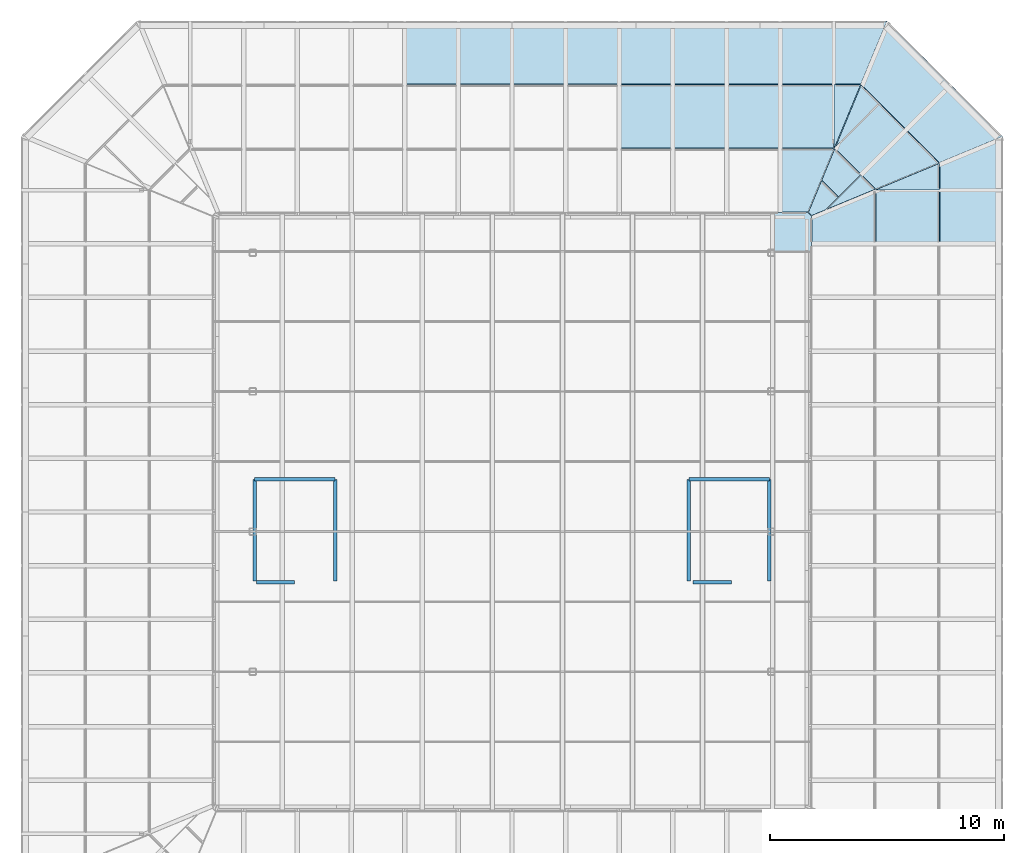
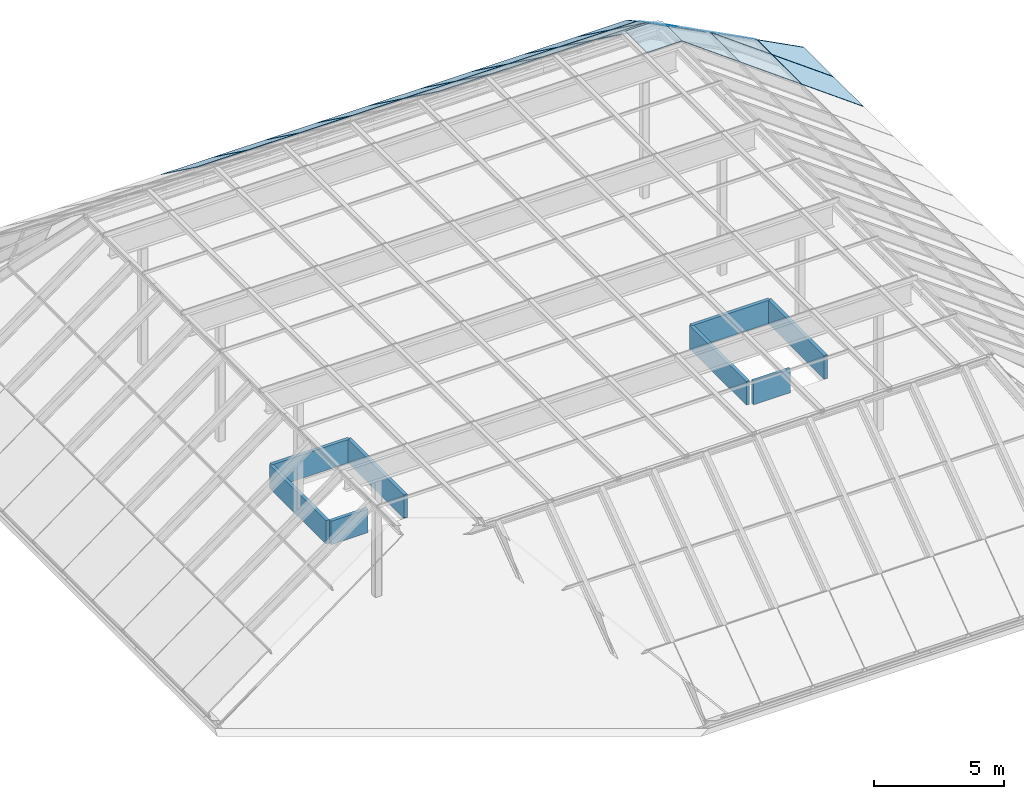
# One storey, part 15 of 15: 29 plates, 8 walls, 4 elements without a shape of their own.
"""IFC4 building model written with IfcOpenShell, lengths in metres."""

import ifcopenshell
import ifcopenshell.guid

model = None  # the IFC model being written
_history = None  # IfcOwnerHistory: only IFC2X3 demands one
_inside = {}  # id of a spatial element -> (the spatial element, [elements in it])
_under = {}  # id of a project, library or spatial element -> (it, [spatial elements below it])
_declared = {}  # id of a project -> (the project, [libraries it declares])
_typed = {}  # id of a type object -> (the type object, [elements of that type])
_made_of = {}  # id of a material, layer set ... -> (it, [elements and type objects made of it])


def new_model(schema):
    """Start an empty IFC model of exactly this schema.

    Asked for "IFC4X3", IfcOpenShell would pick the latest addendum, in which some entities
    have other attributes; the version numbers below select the first issue.
    IFC2X3 requires an IfcOwnerHistory on every rooted entity: one is made here for all.
    """
    global model, _history
    if schema == "IFC4X3":
        model = ifcopenshell.file(schema_version=(4, 3, 0, 0))
    else:
        model = ifcopenshell.file(schema=schema)
    _inside.clear()
    _under.clear()
    _declared.clear()
    _typed.clear()
    _made_of.clear()
    _history = None
    if model.schema == "IFC2X3":
        org = make("IfcOrganization", Name="unknown")
        user = make(
            "IfcPersonAndOrganization",
            ThePerson=make("IfcPerson", FamilyName="unknown"),
            TheOrganization=org,
        )
        app = make(
            "IfcApplication",
            ApplicationDeveloper=org,
            Version="unknown",
            ApplicationFullName="unknown",
            ApplicationIdentifier="unknown",
        )
        _history = make(
            "IfcOwnerHistory",
            OwningUser=user,
            OwningApplication=app,
            ChangeAction="ADDED",
            CreationDate=0,
        )
    return model


def make(cls, **values):
    """One entity of the class cls with the attributes given. An attribute that is None is left unset."""
    return model.create_entity(
        cls, **{name: value for name, value in values.items() if value is not None}
    )


def rooted(cls, **values):
    """An entity with a GlobalId (a new one), such as an element, a storey or a relation."""
    return make(cls, GlobalId=ifcopenshell.guid.new(), OwnerHistory=_history, **values)


def si_unit(unit_type, name, prefix=None):
    """IfcSIUnit, for example si_unit("LENGTHUNIT", "METRE", prefix="MILLI")."""
    return make("IfcSIUnit", UnitType=unit_type, Prefix=prefix, Name=name)


def assignment(units):
    """IfcUnitAssignment: the units of a project."""
    return None if units is None else make("IfcUnitAssignment", Units=units)


def point(xyz):
    """IfcCartesianPoint."""
    return None if xyz is None else make("IfcCartesianPoint", Coordinates=xyz)


def direction(xyz):
    """IfcDirection."""
    return None if xyz is None else make("IfcDirection", DirectionRatios=xyz)


def frame(location, z_axis=None, x_axis=None):
    """IfcAxis2Placement3D, a coordinate frame: its origin and axes. An axis left out is left unset."""
    return make(
        "IfcAxis2Placement3D",
        Location=point(location),
        Axis=direction(z_axis),
        RefDirection=direction(x_axis),
    )


def frame_2d(location, x_axis=None):
    """IfcAxis2Placement2D, a coordinate frame in the plane: its origin and x axis."""
    return make(
        "IfcAxis2Placement2D", Location=point(location), RefDirection=direction(x_axis)
    )


def origin():
    """The frame at (0, 0, 0) with its axes left unset."""
    return frame((0.0, 0.0, 0.0))


def place(relative_to, where):
    """IfcLocalPlacement: puts the frame where relative to a parent placement (None: the world)."""
    return make(
        "IfcLocalPlacement", PlacementRelTo=relative_to, RelativePlacement=where
    )


def context(
    kind, dimensions, precision=None, world=None, true_north=None, identifier=None
):
    """IfcGeometricRepresentationContext, for example the 3D "Model" context."""
    return make(
        "IfcGeometricRepresentationContext",
        ContextIdentifier=identifier,
        ContextType=kind,
        CoordinateSpaceDimension=dimensions,
        Precision=precision,
        WorldCoordinateSystem=world,
        TrueNorth=true_north,
    )


def subcontext(parent, identifier, kind, view, scale=None):
    """IfcGeometricRepresentationSubContext, for example "Body" below "Model"."""
    return make(
        "IfcGeometricRepresentationSubContext",
        ContextIdentifier=identifier,
        ContextType=kind,
        ParentContext=parent,
        TargetScale=scale,
        TargetView=view,
    )


def project(units=None, contexts=None):
    """IfcProject with its units and contexts."""
    return rooted(
        "IfcProject",
        Name="project",
        RepresentationContexts=contexts,
        UnitsInContext=assignment(units),
    )


def spatial(cls, under=None, at=None, **own):
    """A site, building, storey or space (cls), placed at a placement, below another one or the project."""
    s = rooted(cls, ObjectPlacement=at, **own)
    if under is not None:
        _under.setdefault(under.id(), (under, []))[1].append(s)
    return s


def polyline(points):
    """IfcPolyline through the points."""
    return make("IfcPolyline", Points=[point(p) for p in points])


def profile(cls, at=None, kind="AREA", **sizes):
    """A parametric profile (cls). Its sizes go by their IFC names, for example OverallWidth=200.0."""
    return make(cls, ProfileType=kind, Position=at, **sizes)


def rectangle(**sizes):
    """IfcRectangleProfileDef."""
    return profile("IfcRectangleProfileDef", **sizes)


def outline(outer, holes=None, kind="AREA"):
    """IfcArbitraryClosedProfileDef: a profile drawn as a closed curve; with holes, ...WithVoids."""
    if holes is None:
        return make("IfcArbitraryClosedProfileDef", ProfileType=kind, OuterCurve=outer)
    return make(
        "IfcArbitraryProfileDefWithVoids",
        ProfileType=kind,
        OuterCurve=outer,
        InnerCurves=holes,
    )


def extrude(swept, where, along, depth):
    """IfcExtrudedAreaSolid: the profile swept, set in the frame where, extruded along a direction by depth."""
    return make(
        "IfcExtrudedAreaSolid",
        SweptArea=swept,
        Position=where,
        ExtrudedDirection=direction(along),
        Depth=depth,
    )


def shape(context_of_items, identifier, shape_type, items):
    """IfcShapeRepresentation: the items that make up one representation, for example the "Body"."""
    return make(
        "IfcShapeRepresentation",
        ContextOfItems=context_of_items,
        RepresentationIdentifier=identifier,
        RepresentationType=shape_type,
        Items=items,
    )


def material(Name=None, Category=None):
    """IfcMaterial."""
    return make("IfcMaterial", Name=Name, Category=Category)


def layer(
    of_material, thickness, ventilated=None, Name=None, Category=None, Priority=None
):
    """IfcMaterialLayer: one layer of a wall or slab, of a material (None: an air gap)."""
    return make(
        "IfcMaterialLayer",
        Material=of_material,
        LayerThickness=thickness,
        IsVentilated=ventilated,
        Name=Name,
        Category=Category,
        Priority=Priority,
    )


def layer_set(layers, Name=None):
    """IfcMaterialLayerSet."""
    return make("IfcMaterialLayerSet", MaterialLayers=layers, LayerSetName=Name)


def constituent(of_material, Name=None, Category=None, fraction=None):
    """IfcMaterialConstituent: one of the materials an element consists of."""
    return make(
        "IfcMaterialConstituent",
        Name=Name,
        Material=of_material,
        Fraction=fraction,
        Category=Category,
    )


def constituent_set(constituents=None, Name=None):
    """IfcMaterialConstituentSet."""
    return make(
        "IfcMaterialConstituentSet", Name=Name, MaterialConstituents=constituents
    )


def made_of(thing, what):
    """Note that an element or type object is made of a material, layer set ...; save() writes the relation."""
    if what is not None:
        _made_of.setdefault(what.id(), (what, []))[1].append(thing)
    return thing


def type_object(cls, material=None, **own):
    """A type object (cls), such as IfcWallType, which elements share."""
    return made_of(rooted(cls, **own), material)


def element(
    cls,
    number,
    at=None,
    inside=None,
    cuts=None,
    type_object=None,
    material=None,
    context=None,
    identifier="Body",
    shape_type=None,
    held_by="IfcProductDefinitionShape",
    body=None,
    shapes=None,
    **own,
):
    """One element of the class cls, such as IfcWall. Its Tag is "e" and its number.

    at: its placement. inside: the storey or other place that contains it. cuts: it is an
    opening in that element (IfcRelVoidsElement). A single representation is given by context,
    identifier, shape_type and body (its items); several are given by shapes. held_by: the class
    of the entity that holds the representations. save() writes the other relations.
    """
    e = rooted(cls, Tag="e%d" % number, ObjectPlacement=at, **own)
    if body is not None:
        shapes = [shape(context, identifier, shape_type, body)]
    if shapes is not None:
        e.Representation = make(held_by, Representations=shapes)
    if inside is not None:
        _inside.setdefault(inside.id(), (inside, []))[1].append(e)
    if cuts is not None:
        rooted(
            "IfcRelVoidsElement", RelatingBuildingElement=cuts, RelatedOpeningElement=e
        )
    if type_object is not None:
        _typed.setdefault(type_object.id(), (type_object, []))[1].append(e)
    return made_of(e, material)


def aggregate(whole, parts):
    """IfcRelAggregates: a whole, such as a stair, and the parts it consists of."""
    return rooted("IfcRelAggregates", RelatingObject=whole, RelatedObjects=parts)


def save(model, path):
    """Write the relations noted so far, then the file.

    IfcRelAggregates (storeys below a building ...), IfcRelContainedInSpatialStructure (elements
    in a storey), IfcRelDefinesByType, IfcRelAssociatesMaterial and IfcRelDeclares: one each for
    every whole, place, type object, material and project.
    """
    for whole, parts in _under.values():
        aggregate(whole, parts)
    for where, things in _inside.values():
        rooted(
            "IfcRelContainedInSpatialStructure",
            RelatedElements=things,
            RelatingStructure=where,
        )
    for kind, things in _typed.values():
        rooted("IfcRelDefinesByType", RelatedObjects=things, RelatingType=kind)
    for what, things in _made_of.values():
        rooted("IfcRelAssociatesMaterial", RelatedObjects=things, RelatingMaterial=what)
    for by, libraries in _declared.values():
        rooted("IfcRelDeclares", RelatingContext=by, RelatedDefinitions=libraries)
    model.write(path)


model = new_model("IFC4")

# Units and contexts
model_context = context("Model", 3, precision=1e-05, world=origin(), true_north=direction((0.0, 1.0)))
body_context = subcontext(model_context, "Body", "Model", "MODEL_VIEW")
ifc_project = project(units=[si_unit("LENGTHUNIT", "METRE"), si_unit("AREAUNIT", "SQUARE_METRE"), si_unit("VOLUMEUNIT", "CUBIC_METRE"), si_unit("PLANEANGLEUNIT", "RADIAN"), si_unit("MASSUNIT", "GRAM", prefix="KILO")], contexts=[model_context])

# Site, building, storey
site_placement = place(None, origin())
site = spatial("IfcSite", under=ifc_project, at=site_placement, CompositionType="ELEMENT")
building_placement = place(site_placement, origin())
building = spatial("IfcBuilding", under=site, at=building_placement, Name="Quoin Convention Tower", CompositionType="ELEMENT")
storey_placement = place(building_placement, frame((0.0, 0.0, 273.699951171875)))
storey = spatial("IfcBuildingStorey", under=building, at=storey_placement, Name="Roof", CompositionType="ELEMENT", Elevation=273.699951171875)

# Curtain wall, plates
ifc_material_1 = material(Name="Aluminium", Category="aluminium")
ifc_constituent_1 = constituent(ifc_material_1, Name="Frame")
ifc_material_2 = material(Name="Insulated glass", Category="glass")
ifc_constituent_2 = constituent(ifc_material_2, Name="Glazing")
ifc_constituent_set = constituent_set(constituents=[ifc_constituent_1, ifc_constituent_2], Name="Aluminium")
curtain_wall_type = type_object("IfcCurtainWallType", Name="Lantern roof system", PredefinedType="NOTDEFINED", material=ifc_constituent_set)
curtain_wall_1_placement = place(storey_placement, origin())
curtain_wall_1 = element("IfcCurtainWall", 1, at=curtain_wall_1_placement, inside=storey, type_object=curtain_wall_type, Name="crn-LNR-F77290_44673", PredefinedType="NOTDEFINED")
ifc_layer_1 = layer(ifc_material_2, 0.028076171875)
ifc_layer_set_1 = layer_set([ifc_layer_1], Name="Insulated glass")
plate_type = type_object("IfcPlateType", Name="Lantern roof glazing unit 28", PredefinedType="CURTAIN_PANEL", material=ifc_layer_set_1)
plate_1_placement = place(storey_placement, frame((74.56884765625, 72.248779296875, 2.466552734375), z_axis=(0.590508839017, 0.0, 0.807031171048), x_axis=(0.0, 1.0, 0.0)))
plate_1 = element("IfcPlate", 2, at=plate_1_placement, type_object=plate_type, Name="CW6 glazing unit", PredefinedType="CURTAIN_PANEL", context=body_context, shape_type="SweptSolid", body=[
    extrude(outline(polyline([(0.0, 0.0), (2.2666015625, 0.0), (2.2666015625, -3.3567283051575902), (0.0, -3.3567283051575902), (0.0, 0.0)])), origin(), (0.0, 0.0, -1.0), 0.028076171875),
])
plate_2_placement = place(storey_placement, frame((74.56884765625, 74.54541015625, 2.466552734375), z_axis=(0.590508839017, 0.0, 0.807031171048), x_axis=(0.0, 1.0, 0.0)))
plate_2 = element("IfcPlate", 3, at=plate_2_placement, type_object=plate_type, Name="CW6 glazing unit", PredefinedType="CURTAIN_PANEL", context=body_context, shape_type="SweptSolid", body=[
    extrude(outline(polyline([(0.0, 0.0), (1.138671875, 0.0), (2.260986328125, -3.3567283051575907), (0.0, -3.3567283051575907), (0.0, 0.0)])), origin(), (0.0, 0.0, -1.0), 0.028076171875),
])
plate_3_placement = place(storey_placement, frame((74.544677734375, 72.248779296875, 2.484375), z_axis=(0.590474179548, 0.0, 0.807056530416), x_axis=(-0.807056530416, 0.0, 0.590474179548)))
plate_3 = element("IfcPlate", 4, at=plate_3_placement, type_object=plate_type, Name="CW6 glazing unit", PredefinedType="CURTAIN_PANEL", context=body_context, shape_type="SweptSolid", body=[
    extrude(outline(polyline([(0.0, 0.0), (3.356925337347801, 0.0), (3.356925337347801, -2.2666015625), (0.0, -2.2666015625), (0.0, 0.0)])), origin(), (0.0, 0.0, -1.0), 0.028076171875),
])
plate_4_placement = place(storey_placement, frame((74.544677734375, 74.54541015625, 2.484375), z_axis=(0.590474179548, 0.0, 0.807056530416), x_axis=(-0.807056530416, 0.0, 0.590474179548)))
plate_4 = element("IfcPlate", 5, at=plate_4_placement, type_object=plate_type, Name="CW6 glazing unit", PredefinedType="CURTAIN_PANEL", context=body_context, shape_type="SweptSolid", body=[
    extrude(outline(polyline([(0.0, 0.0), (3.356925337347801, 0.0), (3.356925337347801, -0.006591796875), (0.0, -1.12890625), (0.0, 0.0)])), origin(), (0.0, 0.0, -1.0), 0.028076171875),
])
plate_5_placement = place(storey_placement, frame((71.811279296875, 74.515380859375, 4.484375), z_axis=(0.590467870456, 2.3954968e-05, 0.807061146002), x_axis=(1.4144639e-05, -0.999999999713, 1.9333124e-05)))
plate_5 = element("IfcPlate", 6, at=plate_5_placement, type_object=plate_type, Name="CW6 glazing unit", PredefinedType="CURTAIN_PANEL", context=body_context, shape_type="SweptSolid", body=[
    extrude(outline(polyline([(0.0, 0.0), (2.266601561849666, 0.0), (2.2666015624782845, -3.356925337245233), (1.0954589846893092, -3.356925337245233), (-1.972716709108947e-09, -0.07949875796371716), (0.0, 0.0)])), origin(), (0.0, 0.0, -1.0), 0.028076171875),
])
aggregate(curtain_wall_1, [plate_1, plate_2, plate_3, plate_4, plate_5])

curtain_wall_2_placement = place(storey_placement, origin())
curtain_wall_2 = element("IfcCurtainWall", 7, at=curtain_wall_2_placement, inside=storey, type_object=curtain_wall_type, Name="crn-LNR-F77290_76827", PredefinedType="NOTDEFINED")
plate_6_placement = place(storey_placement, frame((73.14892578125, 77.119873046875, 2.466552734375), z_axis=(0.417537444623, 0.417537444623, 0.807047064721), x_axis=(0.570704815969, 0.570632086924, -0.590487116204)))
plate_6 = element("IfcPlate", 8, at=plate_6_placement, type_object=plate_type, Name="CW6 glazing unit", PredefinedType="CURTAIN_PANEL", context=body_context, shape_type="SweptSolid", body=[
    extrude(outline(polyline([(0.0, 0.0), (3.356851792327199, -5.2753211954997825e-17), (3.357011934723851, -3.1139629155703807), (0.00010245278065001973, -1.9921904892827473), (0.0, 0.0)])), origin(), (0.0, 0.0, -1.0), 0.028076171875),
])
plate_7_placement = place(storey_placement, frame((73.127685546875, 77.14111328125, 2.466552734375), z_axis=(0.417537444623, 0.417537444623, 0.807047064721), x_axis=(-0.707106781187, 0.707106781187, 0.0)))
plate_7 = element("IfcPlate", 9, at=plate_7_placement, type_object=plate_type, Name="CW6 glazing unit", PredefinedType="CURTAIN_PANEL", context=body_context, shape_type="SweptSolid", body=[
    extrude(outline(polyline([(0.0, 0.0), (2.710345816559765, 0.0), (3.832290877822307, -3.356851787888171), (-0.0001726334915006511, -3.356851787888171), (0.0, 0.0)])), origin(), (0.0, 0.0, -1.0), 0.028076171875),
])
plate_8_placement = place(storey_placement, frame((71.21630859375, 75.18701171875, 4.466552734375), z_axis=(0.417537444623, 0.417537444623, 0.807047064721), x_axis=(0.570632086924, 0.570704815969, -0.590487116204)))
plate_8 = element("IfcPlate", 10, at=plate_8_placement, type_object=plate_type, Name="CW6 glazing unit", PredefinedType="CURTAIN_PANEL", context=body_context, shape_type="SweptSolid", body=[
    extrude(outline(polyline([(0.0, 0.0), (3.356851792327199, -1.6929139297003348e-16), (3.356749854473869, -1.9821777467889525), (-4.42127250985247e-05, -0.8597147865362291), (0.0, 0.0)])), origin(), (0.0, 0.0, -1.0), 0.028076171875),
])
plate_9_placement = place(storey_placement, frame((71.997802734375, 78.23681640625, 2.484375), z_axis=(0.417569006893, 0.417523210774, 0.80703809882), x_axis=(0.707042741667, -0.707170814424, 2.6136976e-05)))
plate_9 = element("IfcPlate", 11, at=plate_9_placement, type_object=plate_type, Name="CW6 glazing unit", PredefinedType="CURTAIN_PANEL", context=body_context, shape_type="SweptSolid", body=[
    extrude(outline(polyline([(0.0, 0.0), (1.5738995506534303, -1.1102230246251565e-16), (1.5741966856522538, -3.3567124525452634), (0.00012451714197131268, -3.356851789630812), (0.0, 0.0)])), origin(), (0.0, 0.0, -1.0), 0.028076171875),
])
plate_10_placement = place(storey_placement, frame((71.201171875, 79.033447265625, 2.484375), z_axis=(0.417563792954, 0.417563792954, 0.807019800022), x_axis=(0.707106781187, -0.707106781187, 0.0)))
plate_10 = element("IfcPlate", 12, at=plate_10_placement, type_object=plate_type, Name="CW6 glazing unit", PredefinedType="CURTAIN_PANEL", context=body_context, shape_type="SweptSolid", body=[
    extrude(outline(polyline([(0.0, 0.0), (1.0965679380119506, 0.0), (1.0965679380119506, -3.279741948853893), (0.0, 0.0)])), origin(), (0.0, 0.0, -1.0), 0.028076171875),
])
plate_11_placement = place(storey_placement, frame((71.19921875, 75.169921875, 4.484375), z_axis=(0.417542917757, 0.417542917757, 0.807041401455), x_axis=(0.707106781187, -0.707106781187, 0.0)))
plate_11 = element("IfcPlate", 13, at=plate_11_placement, type_object=plate_type, Name="CW6 glazing unit", PredefinedType="CURTAIN_PANEL", context=body_context, shape_type="SweptSolid", body=[
    extrude(outline(polyline([(0.0, 0.0), (0.8497020451660613, 0.0), (-0.0001726334915006511, -2.542309530573094), (0.0, 0.0)])), origin(), (0.0, 0.0, -1.0), 0.028076171875),
])
plate_12_placement = place(storey_placement, frame((70.069091796875, 76.300048828125, 4.484375), z_axis=(0.417486512565, 0.417542378551, 0.807070860544), x_axis=(0.707123273799, -0.707090287471, 3.1881896e-05)))
plate_12 = element("IfcPlate", 14, at=plate_12_placement, type_object=plate_type, Name="CW6 glazing unit", PredefinedType="CURTAIN_PANEL", context=body_context, shape_type="SweptSolid", body=[
    extrude(outline(polyline([(0.0, 0.0), (1.5682026355680565, 0.0), (1.5682026380152434, -1.6633416873172657), (0.5560524741101777, -1.6634810147779184), (0.0, 0.0)])), origin(), (0.0, 0.0, -1.0), 0.028076171875),
])
plate_13_placement = place(storey_placement, frame((69.5029296875, 74.933349609375, 5.484375), z_axis=(0.417448451267, 0.417578956169, 0.807071623773), x_axis=(0.707224642574, -0.706988900109, -7.613711e-06)))
plate_13 = element("IfcPlate", 15, at=plate_13_placement, type_object=plate_type, Name="CW6 glazing unit", PredefinedType="CURTAIN_PANEL", context=body_context, shape_type="SweptSolid", body=[
    extrude(outline(polyline([(0.0, 0.0), (1.0021374329858963, 5.551115123125783e-17), (1.0020069393110802, -0.9385983617875202), (0.7593561028419844, -1.663447276913725), (0.5559938526855857, -1.6634190033734484), (0.0, 0.0)])), origin(), (0.0, 0.0, -1.0), 0.028076171875),
])
aggregate(curtain_wall_2, [plate_6, plate_7, plate_8, plate_9, plate_10, plate_11, plate_12, plate_13])

curtain_wall_3_placement = place(storey_placement, origin())
curtain_wall_3 = element("IfcCurtainWall", 16, at=curtain_wall_3_placement, inside=storey, type_object=curtain_wall_type, Name="crn-LNR-F72327_81790", PredefinedType="NOTDEFINED")
plate_14_placement = place(storey_placement, frame((70.04541015625, 79.06884765625, 2.466552734375), z_axis=(0.0, 0.590508839017, 0.807031171048), x_axis=(0.0, 0.807031171048, -0.590508839017)))
plate_14 = element("IfcPlate", 17, at=plate_14_placement, type_object=plate_type, Name="CW6 glazing unit", PredefinedType="CURTAIN_PANEL", context=body_context, shape_type="SweptSolid", body=[
    extrude(outline(polyline([(0.0, 0.0), (3.3567283051575907, 0.0), (3.3567283051575907, -2.260986328125), (0.0, -1.138671875), (0.0, 0.0)])), origin(), (0.0, 0.0, -1.0), 0.028076171875),
])
plate_15_placement = place(storey_placement, frame((70.015380859375, 79.06884765625, 2.466552734375), z_axis=(0.0, 0.590508839017, 0.807031171048), x_axis=(-1.0, 0.0, 0.0)))
plate_15 = element("IfcPlate", 18, at=plate_15_placement, type_object=plate_type, Name="CW6 glazing unit", PredefinedType="CURTAIN_PANEL", context=body_context, shape_type="SweptSolid", body=[
    extrude(outline(polyline([(0.0, 0.0), (2.2666015625, 0.0), (2.2666015625, -3.3567283051575902), (0.0, -3.3567283051575902), (0.0, 0.0)])), origin(), (0.0, 0.0, -1.0), 0.028076171875),
])
plate_16_placement = place(storey_placement, frame((67.71875, 79.06884765625, 2.466552734375), z_axis=(0.0, 0.590508839017, 0.807031171048), x_axis=(-1.0, 0.0, 0.0)))
plate_16 = element("IfcPlate", 19, at=plate_16_placement, type_object=plate_type, Name="CW6 glazing unit", PredefinedType="CURTAIN_PANEL", context=body_context, shape_type="SweptSolid", body=[
    extrude(outline(polyline([(0.0, 0.0), (2.266845703125, 0.0), (2.266845703125, -3.3567283051575907), (0.0, -3.3567283051575907), (0.0, 0.0)])), origin(), (0.0, 0.0, -1.0), 0.028076171875),
])
plate_17_placement = place(storey_placement, frame((65.422119140625, 79.06884765625, 2.466552734375), z_axis=(0.0, 0.590508839017, 0.807031171048), x_axis=(-1.0, 0.0, 0.0)))
plate_17 = element("IfcPlate", 20, at=plate_17_placement, type_object=plate_type, Name="CW6 glazing unit", PredefinedType="CURTAIN_PANEL", context=body_context, shape_type="SweptSolid", body=[
    extrude(outline(polyline([(0.0, 0.0), (2.266845703125, 0.0), (2.266845703125, -3.3567283051575907), (0.0, -3.3567283051575907), (0.0, 0.0)])), origin(), (0.0, 0.0, -1.0), 0.028076171875),
])
plate_18_placement = place(storey_placement, frame((63.125244140625, 79.06884765625, 2.466552734375), z_axis=(0.0, 0.590508839017, 0.807031171048), x_axis=(-1.0, 0.0, 0.0)))
plate_18 = element("IfcPlate", 21, at=plate_18_placement, type_object=plate_type, Name="CW6 glazing unit", PredefinedType="CURTAIN_PANEL", context=body_context, shape_type="SweptSolid", body=[
    extrude(outline(polyline([(0.0, 0.0), (2.266845703125, 0.0), (2.266845703125, -3.3567283051575907), (0.0, -3.3567283051575907), (0.0, 0.0)])), origin(), (0.0, 0.0, -1.0), 0.028076171875),
])
plate_19_placement = place(storey_placement, frame((60.82861328125, 79.06884765625, 2.466552734375), z_axis=(0.0, 0.590508839017, 0.807031171048), x_axis=(-1.0, 0.0, 0.0)))
plate_19 = element("IfcPlate", 22, at=plate_19_placement, type_object=plate_type, Name="CW6 glazing unit", PredefinedType="CURTAIN_PANEL", context=body_context, shape_type="SweptSolid", body=[
    extrude(outline(polyline([(0.0, 0.0), (2.266845703125, 0.0), (2.266845703125, -3.3567283051575907), (0.0, -3.3567283051575907), (0.0, 0.0)])), origin(), (0.0, 0.0, -1.0), 0.028076171875),
])
plate_20_placement = place(storey_placement, frame((58.53173828125, 79.06884765625, 2.466552734375), z_axis=(0.0, 0.590508839017, 0.807031171048), x_axis=(-1.0, 0.0, 0.0)))
plate_20 = element("IfcPlate", 23, at=plate_20_placement, type_object=plate_type, Name="CW6 glazing unit", PredefinedType="CURTAIN_PANEL", context=body_context, shape_type="SweptSolid", body=[
    extrude(outline(polyline([(0.0, 0.0), (2.266845703125, 0.0), (2.266845703125, -3.3567283051575907), (0.0, -3.3567283051575907), (0.0, 0.0)])), origin(), (0.0, 0.0, -1.0), 0.028076171875),
])
plate_21_placement = place(storey_placement, frame((56.235107421875, 79.06884765625, 2.466552734375), z_axis=(0.0, 0.590508839017, 0.807031171048), x_axis=(-1.0, 0.0, 0.0)))
plate_21 = element("IfcPlate", 24, at=plate_21_placement, type_object=plate_type, Name="CW6 glazing unit", PredefinedType="CURTAIN_PANEL", context=body_context, shape_type="SweptSolid", body=[
    extrude(outline(polyline([(0.0, 0.0), (2.266845703125, 0.0), (2.266845703125, -3.3567283051575907), (0.0, -3.3567283051575907), (0.0, 0.0)])), origin(), (0.0, 0.0, -1.0), 0.028076171875),
])
plate_22_placement = place(storey_placement, frame((53.938232421875, 79.06884765625, 2.466552734375), z_axis=(0.0, 0.590508839017, 0.807031171048), x_axis=(-1.0, 0.0, 0.0)))
plate_22 = element("IfcPlate", 25, at=plate_22_placement, type_object=plate_type, Name="CW6 glazing unit", PredefinedType="CURTAIN_PANEL", context=body_context, shape_type="SweptSolid", body=[
    extrude(outline(polyline([(0.0, 0.0), (2.266845703125, 0.0), (2.266845703125, -3.3567283051575907), (0.0, -3.3567283051575907), (0.0, 0.0)])), origin(), (0.0, 0.0, -1.0), 0.028076171875),
])
plate_23_placement = place(storey_placement, frame((70.04541015625, 76.33544921875, 4.466552734375), z_axis=(0.0, 0.590474179548, 0.807056530416), x_axis=(0.0, 0.807056530416, -0.590474179548)))
plate_23 = element("IfcPlate", 26, at=plate_23_placement, type_object=plate_type, Name="CW6 glazing unit", PredefinedType="CURTAIN_PANEL", context=body_context, shape_type="SweptSolid", body=[
    extrude(outline(polyline([(0.0, 0.0), (3.356925337347801, 0.0), (3.356925337347801, -1.12890625), (0.0, -0.006591796875), (0.0, 0.0)])), origin(), (0.0, 0.0, -1.0), 0.028076171875),
])
plate_24_placement = place(storey_placement, frame((70.015380859375, 79.044677734375, 2.484375), z_axis=(0.0, 0.590474179548, 0.807056530416), x_axis=(0.0, -0.807056530416, 0.590474179548)))
plate_24 = element("IfcPlate", 27, at=plate_24_placement, type_object=plate_type, Name="CW6 glazing unit", PredefinedType="CURTAIN_PANEL", context=body_context, shape_type="SweptSolid", body=[
    extrude(outline(polyline([(0.0, 0.0), (3.356925337347801, 0.0), (3.356925337347801, -2.2666015625), (0.0, -2.2666015625), (0.0, 0.0)])), origin(), (0.0, 0.0, -1.0), 0.028076171875),
])
plate_25_placement = place(storey_placement, frame((67.71875, 79.044677734375, 2.484375), z_axis=(0.0, 0.590474179548, 0.807056530416), x_axis=(0.0, -0.807056530416, 0.590474179548)))
plate_25 = element("IfcPlate", 28, at=plate_25_placement, type_object=plate_type, Name="CW6 glazing unit", PredefinedType="CURTAIN_PANEL", context=body_context, shape_type="SweptSolid", body=[
    extrude(outline(polyline([(0.0, 0.0), (3.356925337347801, 0.0), (3.356925337347801, -2.266845703125), (0.0, -2.266845703125), (0.0, 0.0)])), origin(), (0.0, 0.0, -1.0), 0.028076171875),
])
plate_26_placement = place(storey_placement, frame((65.422119140625, 79.044677734375, 2.484375), z_axis=(0.0, 0.590474179548, 0.807056530416), x_axis=(0.0, -0.807056530416, 0.590474179548)))
plate_26 = element("IfcPlate", 29, at=plate_26_placement, type_object=plate_type, Name="CW6 glazing unit", PredefinedType="CURTAIN_PANEL", context=body_context, shape_type="SweptSolid", body=[
    extrude(outline(polyline([(0.0, 0.0), (3.356925337347801, 0.0), (3.356925337347801, -2.266845703125), (0.0, -2.266845703125), (0.0, 0.0)])), origin(), (0.0, 0.0, -1.0), 0.028076171875),
])
plate_27_placement = place(storey_placement, frame((63.125244140625, 79.044677734375, 2.484375), z_axis=(0.0, 0.590474179548, 0.807056530416), x_axis=(0.0, -0.807056530416, 0.590474179548)))
plate_27 = element("IfcPlate", 30, at=plate_27_placement, type_object=plate_type, Name="CW6 glazing unit", PredefinedType="CURTAIN_PANEL", context=body_context, shape_type="SweptSolid", body=[
    extrude(outline(polyline([(0.0, 0.0), (3.356925337347801, 0.0), (3.356925337347801, -2.266845703125), (0.0, -2.266845703125), (0.0, 0.0)])), origin(), (0.0, 0.0, -1.0), 0.028076171875),
])
plate_28_placement = place(storey_placement, frame((67.748779296875, 76.311279296875, 4.484375), z_axis=(2.3954968e-05, 0.590467870456, 0.807061146002), x_axis=(0.999999999713, -1.4144639e-05, -1.9333124e-05)))
plate_28 = element("IfcPlate", 31, at=plate_28_placement, type_object=plate_type, Name="CW6 glazing unit", PredefinedType="CURTAIN_PANEL", context=body_context, shape_type="SweptSolid", body=[
    extrude(outline(polyline([(0.0, 0.0), (2.266601561849666, 0.0), (2.2666015638223826, -0.07949875796371716), (1.1711425771603567, -3.356925337245233), (-6.286186970944465e-10, -3.356925337245233), (0.0, 0.0)])), origin(), (0.0, 0.0, -1.0), 0.028076171875),
])
aggregate(curtain_wall_3, [plate_14, plate_15, plate_16, plate_17, plate_18, plate_19, plate_20, plate_21, plate_22, plate_23, plate_24, plate_25, plate_26, plate_27, plate_28])

# Curtain wall, plate
curtain_wall_4_placement = place(storey_placement, origin())
curtain_wall_4 = element("IfcCurtainWall", 32, at=curtain_wall_4_placement, inside=storey, type_object=curtain_wall_type, Name="crn-LNR-CAP", PredefinedType="NOTDEFINED")
plate_29_placement = place(storey_placement, frame((67.5, 71.929931640625, 6.62353515625), z_axis=(0.0, 0.0, 1.0), x_axis=(0.0, 1.0, 0.0)))
plate_29 = element("IfcPlate", 33, at=plate_29_placement, type_object=plate_type, Name="CW6 glazing unit", PredefinedType="CURTAIN_PANEL", context=body_context, shape_type="SweptSolid", body=[
    extrude(outline(polyline([(0.0, 0.0), (1.64013671875, 0.0), (1.64013671875, -1.42236328125), (1.492431640625, -1.570068359375), (0.0, -1.570068359375), (0.0, 0.0)])), origin(), (0.0, 0.0, -1.0), 0.028076171875),
])
aggregate(curtain_wall_4, [plate_29])

# Walls
ifc_material_3 = material(Name="Concrete C50", Category="concrete")
ifc_layer_2 = layer(ifc_material_3, 0.14990234375)
ifc_layer_set_2 = layer_set([ifc_layer_2], Name="Concrete C50")
wall_type = type_object("IfcWallType", Name="Stair head wall 1100", PredefinedType="PARTITIONING", material=ifc_layer_set_2)
wall_1_placement = place(storey_placement, frame((45.22509765625, 62.14990234375, 0.0), z_axis=(0.0, 0.0, 1.0), x_axis=(1.0, 0.0, 0.0)))
element("IfcWall", 34, at=wall_1_placement, inside=storey, type_object=wall_type, Name="SD1 stair head wall 1", PredefinedType="PARTITIONING", context=body_context, shape_type="SweptSolid", body=[
    extrude(rectangle(XDim=3.449951171875, YDim=0.14990234375, at=frame_2d((1.72509765625, 0.0))), origin(), (0.0, 0.0, 1.0), 1.10009765625),
])
for number, where, z_axis, x_axis, name in (
    (35, (45.22509765625, 57.800537109375, 0.0), (0.0, 0.0, 1.0), (0.0, 1.0, 0.0), "SD1 stair head wall 2"),
    (36, (48.675048828125, 57.800537109375, 0.0), (0.0, 0.0, 1.0), (0.0, 1.0, 0.0), "SD1 stair head wall 3"),
):
    element("IfcWall", number, at=place(storey_placement, frame(where, z_axis=z_axis, x_axis=x_axis)), inside=storey, type_object=wall_type, Name=name, PredefinedType="PARTITIONING", context=body_context, shape_type="SweptSolid", body=[
        extrude(rectangle(XDim=4.349365234375, YDim=0.14990234375, at=frame_2d((2.1748046875, 0.0))), origin(), (0.0, 0.0, 1.0), 1.10009765625),
    ])
wall_2_placement = place(storey_placement, frame((45.300048828125, 57.75, 0.0), z_axis=(0.0, 0.0, 1.0), x_axis=(1.0, 0.0, 0.0)))
element("IfcWall", 37, at=wall_2_placement, inside=storey, type_object=wall_type, Name="SD1 stair head wall 4", PredefinedType="PARTITIONING", context=body_context, shape_type="SweptSolid", body=[
    extrude(rectangle(XDim=1.64501953125, YDim=0.14990234375, at=frame_2d((0.822509765625, 0.0))), origin(), (0.0, 0.0, 1.0), 1.10009765625),
])
wall_3_placement = place(storey_placement, frame((63.824951171875, 62.14990234375, 0.0), z_axis=(0.0, 0.0, 1.0), x_axis=(1.0, 0.0, 0.0)))
element("IfcWall", 38, at=wall_3_placement, inside=storey, type_object=wall_type, Name="SD2 stair head wall 1", PredefinedType="PARTITIONING", context=body_context, shape_type="SweptSolid", body=[
    extrude(rectangle(XDim=3.449951171875, YDim=0.14990234375, at=frame_2d((1.72509765625, 0.0))), origin(), (0.0, 0.0, 1.0), 1.10009765625),
])
for number, where, z_axis, x_axis, name in (
    (39, (63.824951171875, 57.800537109375, 0.0), (0.0, 0.0, 1.0), (0.0, 1.0, 0.0), "SD2 stair head wall 2"),
    (40, (67.27490234375, 57.800537109375, 0.0), (0.0, 0.0, 1.0), (0.0, 1.0, 0.0), "SD2 stair head wall 3"),
):
    element("IfcWall", number, at=place(storey_placement, frame(where, z_axis=z_axis, x_axis=x_axis)), inside=storey, type_object=wall_type, Name=name, PredefinedType="PARTITIONING", context=body_context, shape_type="SweptSolid", body=[
        extrude(rectangle(XDim=4.349365234375, YDim=0.14990234375, at=frame_2d((2.1748046875, 0.0))), origin(), (0.0, 0.0, 1.0), 1.10009765625),
    ])
wall_4_placement = place(storey_placement, frame((64.0, 57.75, 0.0), z_axis=(0.0, 0.0, 1.0), x_axis=(1.0, 0.0, 0.0)))
element("IfcWall", 41, at=wall_4_placement, inside=storey, type_object=wall_type, Name="SD2 stair head wall 4", PredefinedType="PARTITIONING", context=body_context, shape_type="SweptSolid", body=[
    extrude(rectangle(XDim=1.64501953125, YDim=0.14990234375, at=frame_2d((0.822509765625, 0.0))), origin(), (0.0, 0.0, 1.0), 1.10009765625),
])

save(model, "model.ifc")
